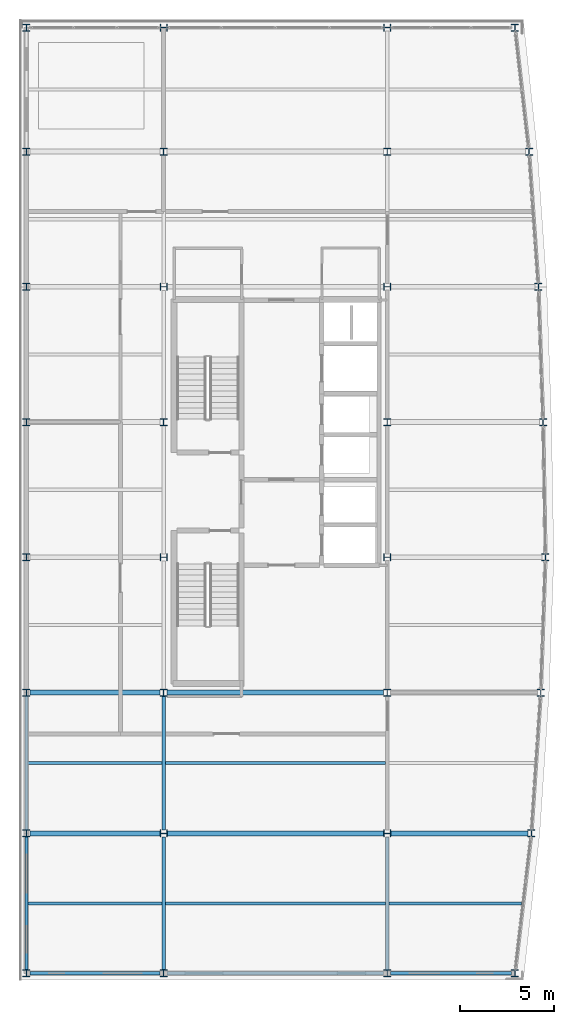
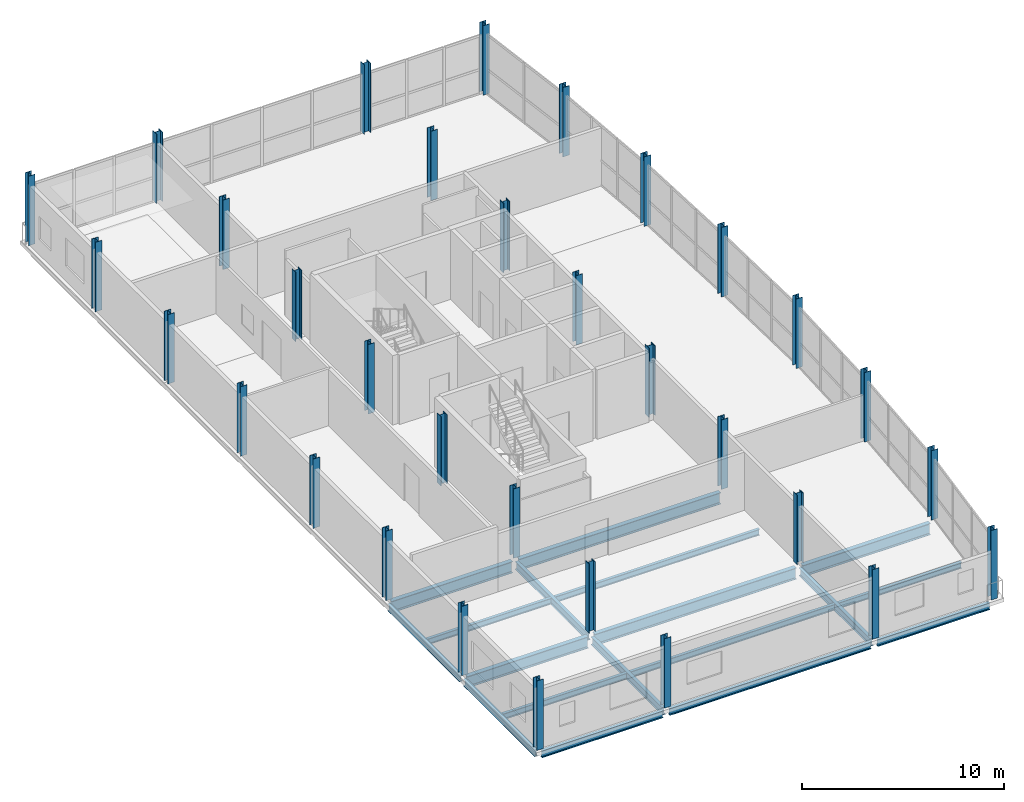
# One storey, part 1 of 20: 32 columns, 18 beams.
"""IFC4 building model written with IfcOpenShell, lengths in metres."""

from ifc_helpers import new_model, si_unit, direction, frame, origin, origin_2d, place, context, subcontext, project, spatial, i_section, extrude, material, material_profile, profile_set, type_object, element, save


model = new_model("IFC4")

# Units and contexts
model_context = context("Model", 3, precision=1e-05, world=origin(), true_north=direction((0.0, 1.0)))
body_context = subcontext(model_context, "Body", "Model", "MODEL_VIEW")
ifc_project = project(units=[si_unit("LENGTHUNIT", "METRE"), si_unit("AREAUNIT", "SQUARE_METRE"), si_unit("VOLUMEUNIT", "CUBIC_METRE"), si_unit("PLANEANGLEUNIT", "RADIAN"), si_unit("MASSUNIT", "GRAM", prefix="KILO")], contexts=[model_context])

# Site, building, storey
site_placement = place(None, origin())
site = spatial("IfcSite", under=ifc_project, at=site_placement, CompositionType="ELEMENT")
building_placement = place(site_placement, origin())
building = spatial("IfcBuilding", under=site, at=building_placement, Name="Quillay Park Conservatory", CompositionType="ELEMENT")
storey_placement = place(building_placement, frame((0.0, 0.0, 30.89990234375)))
storey = spatial("IfcBuildingStorey", under=building, at=storey_placement, Name="L07", CompositionType="ELEMENT", Elevation=30.89990234375)

# Columns
ifc_material_1 = material(Name="Steel ASTM A992 Grade 50", Category="steel")
ifc_material_profile_1 = material_profile(ifc_material_1, i_section(OverallWidth=0.3740234375, OverallDepth=0.3720703125, WebThickness=0.016357421875, FlangeThickness=0.026123046875, FilletRadius=0.014892578125, at=origin_2d()), Name="W360x196")
ifc_profile_set_1 = profile_set([ifc_material_profile_1], Name="Steel ASTM A992 Grade 50")
column_type = type_object("IfcColumnType", Name="COMPOSITE STEEL COLUMN W360 X196", PredefinedType="COLUMN", material=ifc_profile_set_1)
for number, where, z_axis, x_axis, name in (
    (1, (0.550048828125, 63.050048828125, 0.0), (0.0, 0.0, 1.0), (1.0, 0.0, 0.0), "L07 column COL-V4-L07-0-0"),
    (2, (7.85009765625, 63.050048828125, 0.0), (0.0, 0.0, 1.0), (1.0, 0.0, 0.0), "L07 column COL-V4-L07-0-1"),
    (3, (19.75, 63.050048828125, 0.0), (0.0, 0.0, 1.0), (1.0, 0.0, 0.0), "L07 column COL-V4-L07-0-2"),
    (4, (26.550048828125, 63.050048828125, 0.0), (0.0, 0.0, 1.0), (1.0, 0.0, 0.0), "L07 column COL-V4-L07-0-3"),
    (5, (0.550048828125, 70.5, 0.0), (0.0, 0.0, 1.0), (1.0, 0.0, 0.0), "L07 column COL-V4-L07-1-0"),
    (6, (7.85009765625, 70.5, 0.0), (0.0, 0.0, 1.0), (0.0, 1.0, 0.0), "L07 column COL-V4-L07-1-1"),
    (7, (19.75, 70.5, 0.0), (0.0, 0.0, 1.0), (0.0, 1.0, 0.0), "L07 column COL-V4-L07-1-2"),
    (8, (27.425048828125, 70.5, 0.0), (0.0, 0.0, 1.0), (1.0, 0.0, 0.0), "L07 column COL-V4-L07-1-3"),
    (9, (0.550048828125, 78.0, 0.0), (0.0, 0.0, 1.0), (1.0, 0.0, 0.0), "L07 column COL-V4-L07-2-0"),
    (10, (7.85009765625, 78.0, 0.0), (0.0, 0.0, 1.0), (1.0, 0.0, 0.0), "L07 column COL-V4-L07-2-1"),
    (11, (19.75, 78.0, 0.0), (0.0, 0.0, 1.0), (1.0, 0.0, 0.0), "L07 column COL-V4-L07-2-2"),
    (12, (27.925048828125, 78.0, 0.0), (0.0, 0.0, 1.0), (1.0, 0.0, 0.0), "L07 column COL-V4-L07-2-3"),
    (13, (0.550048828125, 85.199951171875, 0.0), (0.0, 0.0, 1.0), (1.0, 0.0, 0.0), "L07 column COL-V4-L07-3-0"),
    (14, (7.85009765625, 85.199951171875, 0.0), (0.0, 0.0, 1.0), (0.0, 1.0, 0.0), "L07 column COL-V4-L07-3-1"),
    (15, (19.75, 85.199951171875, 0.0), (0.0, 0.0, 1.0), (0.0, 1.0, 0.0), "L07 column COL-V4-L07-3-2"),
    (16, (28.175048828125, 85.199951171875, 0.0), (0.0, 0.0, 1.0), (1.0, 0.0, 0.0), "L07 column COL-V4-L07-3-3"),
    (17, (0.550048828125, 92.39990234375, 0.0), (0.0, 0.0, 1.0), (1.0, 0.0, 0.0), "L07 column COL-V4-L07-4-0"),
    (18, (7.85009765625, 92.39990234375, 0.0), (0.0, 0.0, 1.0), (1.0, 0.0, 0.0), "L07 column COL-V4-L07-4-1"),
    (19, (19.75, 92.39990234375, 0.0), (0.0, 0.0, 1.0), (1.0, 0.0, 0.0), "L07 column COL-V4-L07-4-2"),
    (20, (28.050048828125, 92.39990234375, 0.0), (0.0, 0.0, 1.0), (1.0, 0.0, 0.0), "L07 column COL-V4-L07-4-3"),
    (21, (0.550048828125, 99.60009765625, 0.0), (0.0, 0.0, 1.0), (1.0, 0.0, 0.0), "L07 column COL-V4-L07-5-0"),
    (22, (7.85009765625, 99.60009765625, 0.0), (0.0, 0.0, 1.0), (0.0, 1.0, 0.0), "L07 column COL-V4-L07-5-1"),
    (23, (19.75, 99.60009765625, 0.0), (0.0, 0.0, 1.0), (0.0, 1.0, 0.0), "L07 column COL-V4-L07-5-2"),
    (24, (27.800048828125, 99.60009765625, 0.0), (0.0, 0.0, 1.0), (1.0, 0.0, 0.0), "L07 column COL-V4-L07-5-3"),
    (25, (0.550048828125, 106.800048828125, 0.0), (0.0, 0.0, 1.0), (1.0, 0.0, 0.0), "L07 column COL-V4-L07-6-0"),
    (26, (7.85009765625, 106.800048828125, 0.0), (0.0, 0.0, 1.0), (1.0, 0.0, 0.0), "L07 column COL-V4-L07-6-1"),
    (27, (19.75, 106.800048828125, 0.0), (0.0, 0.0, 1.0), (1.0, 0.0, 0.0), "L07 column COL-V4-L07-6-2"),
    (28, (27.300048828125, 106.800048828125, 0.0), (0.0, 0.0, 1.0), (1.0, 0.0, 0.0), "L07 column COL-V4-L07-6-3"),
    (29, (0.550048828125, 113.39990234375, 0.0), (0.0, 0.0, 1.0), (1.0, 0.0, 0.0), "L07 column COL-V4-L07-7-0"),
    (30, (7.85009765625, 113.39990234375, 0.0), (0.0, 0.0, 1.0), (0.0, 1.0, 0.0), "L07 column COL-V4-L07-7-1"),
    (31, (19.75, 113.39990234375, 0.0), (0.0, 0.0, 1.0), (0.0, 1.0, 0.0), "L07 column COL-V4-L07-7-2"),
    (32, (26.550048828125, 113.39990234375, 0.0), (0.0, 0.0, 1.0), (1.0, 0.0, 0.0), "L07 column COL-V4-L07-7-3"),
):
    element("IfcColumn", number, at=place(storey_placement, frame(where, z_axis=z_axis, x_axis=x_axis)), inside=storey, type_object=column_type, Name=name, PredefinedType="COLUMN", context=body_context, shape_type="SweptSolid", body=[
        extrude(i_section(OverallWidth=0.3740234375, OverallDepth=0.3720703125, WebThickness=0.016357421875, FlangeThickness=0.026123046875, FilletRadius=0.014892578125, at=origin_2d()), origin(), (0.0, 0.0, 1.0), 4.2001953125),
    ])

# Beams
ifc_material_2 = material(Name="Steel ASTM A992 Grade 50", Category="steel")
ifc_material_profile_2 = material_profile(ifc_material_2, i_section(OverallWidth=0.172119140625, OverallDepth=0.35791015625, WebThickness=0.0078125, FlangeThickness=0.01318359375, FilletRadius=0.010986328125, at=origin_2d()), Name="W360x57")
ifc_profile_set_2 = profile_set([ifc_material_profile_2], Name="Steel ASTM A992 Grade 50")
beam_type_1 = type_object("IfcBeamType", Name="COMPOSITE FLOOR JOIST W360 X57", PredefinedType="JOIST", material=ifc_profile_set_2)
beam_1_placement = place(storey_placement, frame((0.639892578125, 66.77490234375, -0.39892578125), z_axis=(1.0, 0.0, 0.0), x_axis=(0.0, 1.0, 0.0)))
element("IfcBeam", 33, at=beam_1_placement, inside=storey, type_object=beam_type_1, Name="L07 beam BM-J-0542", PredefinedType="JOIST", context=body_context, shape_type="SweptSolid", body=[
    extrude(i_section(OverallWidth=0.172119140625, OverallDepth=0.35791015625, WebThickness=0.0078125, FlangeThickness=0.01318359375, FilletRadius=0.010986328125, at=origin_2d()), origin(), (0.0, 0.0, 1.0), 7.114013671875),
])
beam_2_placement = place(storey_placement, frame((19.845947265625, 66.77490234375, -0.39892578125), z_axis=(1.0, 0.0, 0.0), x_axis=(0.0, 1.0, 0.0)))
element("IfcBeam", 34, at=beam_2_placement, inside=storey, type_object=beam_type_1, Name="L07 beam BM-J-0543", PredefinedType="JOIST", context=body_context, shape_type="SweptSolid", body=[
    extrude(i_section(OverallWidth=0.172119140625, OverallDepth=0.35791015625, WebThickness=0.0078125, FlangeThickness=0.01318359375, FilletRadius=0.010986328125, at=origin_2d()), origin(), (0.0, 0.0, 1.0), 7.051513671875),
])
beam_3_placement = place(storey_placement, frame((7.946044921875, 66.77490234375, -0.39892578125), z_axis=(1.0, 0.0, 0.0), x_axis=(0.0, 1.0, 0.0)))
element("IfcBeam", 35, at=beam_3_placement, inside=storey, type_object=beam_type_1, Name="L07 beam BM-J-0544", PredefinedType="JOIST", context=body_context, shape_type="SweptSolid", body=[
    extrude(i_section(OverallWidth=0.172119140625, OverallDepth=0.35791015625, WebThickness=0.0078125, FlangeThickness=0.01318359375, FilletRadius=0.010986328125, at=origin_2d()), origin(), (0.0, 0.0, 1.0), 11.7080078125),
])
beam_4_placement = place(storey_placement, frame((0.639892578125, 74.25, -0.39892578125), z_axis=(1.0, 0.0, 0.0), x_axis=(0.0, 1.0, 0.0)))
element("IfcBeam", 36, at=beam_4_placement, inside=storey, type_object=beam_type_1, Name="L07 beam BM-J-0549", PredefinedType="JOIST", context=body_context, shape_type="SweptSolid", body=[
    extrude(i_section(OverallWidth=0.172119140625, OverallDepth=0.35791015625, WebThickness=0.0078125, FlangeThickness=0.01318359375, FilletRadius=0.010986328125, at=origin_2d()), origin(), (0.0, 0.0, 1.0), 7.114013671875),
])
beam_5_placement = place(storey_placement, frame((7.946044921875, 74.25, -0.39892578125), z_axis=(1.0, 0.0, 0.0), x_axis=(0.0, 1.0, 0.0)))
element("IfcBeam", 37, at=beam_5_placement, inside=storey, type_object=beam_type_1, Name="L07 beam BM-J-0551", PredefinedType="JOIST", context=body_context, shape_type="SweptSolid", body=[
    extrude(i_section(OverallWidth=0.172119140625, OverallDepth=0.35791015625, WebThickness=0.0078125, FlangeThickness=0.01318359375, FilletRadius=0.010986328125, at=origin_2d()), origin(), (0.0, 0.0, 1.0), 11.7080078125),
])
ifc_material_3 = material(Name="Steel ASTM A992 Grade 50", Category="steel")
ifc_material_profile_3 = material_profile(ifc_material_3, i_section(OverallWidth=0.179931640625, OverallDepth=0.4130859375, WebThickness=0.009765625, FlangeThickness=0.01611328125, FilletRadius=0.011962890625, at=origin_2d()), Name="W410x74")
ifc_profile_set_3 = profile_set([ifc_material_profile_3], Name="Steel ASTM A992 Grade 50")
beam_type_2 = type_object("IfcBeamType", Name="PERIMETER SPANDREL BEAM W410 X74", PredefinedType="SPANDREL", material=ifc_profile_set_3)
beam_6_placement = place(storey_placement, frame((0.737060546875, 63.050048828125, -0.426513671875), z_axis=(1.0, 0.0, 0.0), x_axis=(0.0, 1.0, 0.0)))
element("IfcBeam", 38, at=beam_6_placement, inside=storey, type_object=beam_type_2, Name="L07 beam BM-SP-0516", PredefinedType="SPANDREL", context=body_context, shape_type="SweptSolid", body=[
    extrude(i_section(OverallWidth=0.179931640625, OverallDepth=0.4130859375, WebThickness=0.009765625, FlangeThickness=0.01611328125, FilletRadius=0.011962890625, at=origin_2d()), origin(), (0.0, 0.0, 1.0), 6.926025390625),
])
beam_7_placement = place(storey_placement, frame((8.037109375, 63.050048828125, -0.426513671875), z_axis=(1.0, 0.0, 0.0), x_axis=(0.0, 1.0, 0.0)))
element("IfcBeam", 39, at=beam_7_placement, inside=storey, type_object=beam_type_2, Name="L07 beam BM-SP-0517", PredefinedType="SPANDREL", context=body_context, shape_type="SweptSolid", body=[
    extrude(i_section(OverallWidth=0.179931640625, OverallDepth=0.4130859375, WebThickness=0.009765625, FlangeThickness=0.01611328125, FilletRadius=0.011962890625, at=origin_2d()), origin(), (0.0, 0.0, 1.0), 11.52587890625),
])
beam_8_placement = place(storey_placement, frame((19.93701171875, 63.050048828125, -0.426513671875), z_axis=(1.0, 0.0, 0.0), x_axis=(0.0, 1.0, 0.0)))
element("IfcBeam", 40, at=beam_8_placement, inside=storey, type_object=beam_type_2, Name="L07 beam BM-SP-0518", PredefinedType="SPANDREL", context=body_context, shape_type="SweptSolid", body=[
    extrude(i_section(OverallWidth=0.179931640625, OverallDepth=0.4130859375, WebThickness=0.009765625, FlangeThickness=0.01611328125, FilletRadius=0.011962890625, at=origin_2d()), origin(), (0.0, 0.0, 1.0), 6.426025390625),
])
beam_9_placement = place(storey_placement, frame((0.550048828125, 63.236083984375, -0.426513671875), z_axis=(0.0, 1.0, 0.0), x_axis=(-1.0, 0.0, 0.0)))
element("IfcBeam", 41, at=beam_9_placement, inside=storey, type_object=beam_type_2, Name="L07 beam BM-SPW-0538", PredefinedType="SPANDREL", context=body_context, shape_type="SweptSolid", body=[
    extrude(i_section(OverallWidth=0.179931640625, OverallDepth=0.4130859375, WebThickness=0.009765625, FlangeThickness=0.01611328125, FilletRadius=0.011962890625, at=origin_2d()), origin(), (0.0, 0.0, 1.0), 7.077880859375),
])
beam_10_placement = place(storey_placement, frame((0.550048828125, 70.68603515625, -0.426513671875), z_axis=(0.0, 1.0, 0.0), x_axis=(-1.0, 0.0, 0.0)))
element("IfcBeam", 42, at=beam_10_placement, inside=storey, type_object=beam_type_2, Name="L07 beam BM-SPW-0545", PredefinedType="SPANDREL", context=body_context, shape_type="SweptSolid", body=[
    extrude(i_section(OverallWidth=0.179931640625, OverallDepth=0.4130859375, WebThickness=0.009765625, FlangeThickness=0.01611328125, FilletRadius=0.011962890625, at=origin_2d()), origin(), (0.0, 0.0, 1.0), 7.1279296875),
])
ifc_material_4 = material(Name="Steel ASTM A992 Grade 50", Category="steel")
ifc_material_profile_4 = material_profile(ifc_material_4, i_section(OverallWidth=0.19189453125, OverallDepth=0.462890625, WebThickness=0.010498046875, FlangeThickness=0.017578125, FilletRadius=0.012939453125, at=origin_2d()), Name="W460x89")
ifc_profile_set_4 = profile_set([ifc_material_profile_4], Name="Steel ASTM A992 Grade 50")
beam_type_3 = type_object("IfcBeamType", Name="PRIMARY FLOOR GIRDER W460 X89", PredefinedType="BEAM", material=ifc_profile_set_4)
for number, where, z_axis, x_axis, name in (
    (43, (7.85009765625, 63.236083984375, -0.451416015625), (0.0, 1.0, 0.0), (-1.0, 0.0, 0.0), "L07 beam BM-GNS-0540"),
    (44, (19.75, 63.236083984375, -0.451416015625), (0.0, 1.0, 0.0), (-1.0, 0.0, 0.0), "L07 beam BM-GNS-0541"),
):
    element("IfcBeam", number, at=place(storey_placement, frame(where, z_axis=z_axis, x_axis=x_axis)), inside=storey, type_object=beam_type_3, Name=name, PredefinedType="BEAM", context=body_context, shape_type="SweptSolid", body=[
        extrude(i_section(OverallWidth=0.19189453125, OverallDepth=0.462890625, WebThickness=0.010498046875, FlangeThickness=0.017578125, FilletRadius=0.012939453125, at=origin_2d()), origin(), (0.0, 0.0, 1.0), 7.076904296875),
    ])
beam_11_placement = place(storey_placement, frame((7.85009765625, 70.68701171875, -0.451416015625), z_axis=(0.0, 1.0, 0.0), x_axis=(-1.0, 0.0, 0.0)))
element("IfcBeam", 45, at=beam_11_placement, inside=storey, type_object=beam_type_3, Name="L07 beam BM-GNS-0547", PredefinedType="BEAM", context=body_context, shape_type="SweptSolid", body=[
    extrude(i_section(OverallWidth=0.19189453125, OverallDepth=0.462890625, WebThickness=0.010498046875, FlangeThickness=0.017578125, FilletRadius=0.012939453125, at=origin_2d()), origin(), (0.0, 0.0, 1.0), 7.126953125),
])
ifc_material_5 = material(Name="Steel ASTM A992 Grade 50", Category="steel")
ifc_material_profile_5 = material_profile(ifc_material_5, i_section(OverallWidth=0.256103515625, OverallDepth=0.693115234375, WebThickness=0.014404296875, FlangeThickness=0.023681640625, FilletRadius=0.01611328125, at=origin_2d()), Name="W690x170")
ifc_profile_set_5 = profile_set([ifc_material_profile_5], Name="Steel ASTM A992 Grade 50")
beam_type_4 = type_object("IfcBeamType", Name="PRIMARY FLOOR GIRDER W690 X170", PredefinedType="BEAM", material=ifc_profile_set_5)
beam_12_placement = place(storey_placement, frame((0.737060546875, 70.5, -0.56640625), z_axis=(1.0, 0.0, 0.0), x_axis=(0.0, 1.0, 0.0)))
element("IfcBeam", 46, at=beam_12_placement, inside=storey, type_object=beam_type_4, Name="L07 beam BM-HB-0519", PredefinedType="BEAM", context=body_context, shape_type="SweptSolid", body=[
    extrude(i_section(OverallWidth=0.256103515625, OverallDepth=0.693115234375, WebThickness=0.014404296875, FlangeThickness=0.023681640625, FilletRadius=0.01611328125, at=origin_2d()), origin(), (0.0, 0.0, 1.0), 6.927001953125),
])
beam_13_placement = place(storey_placement, frame((8.035888671875, 70.5, -0.56640625), z_axis=(1.0, 0.0, 0.0), x_axis=(0.0, 1.0, 0.0)))
element("IfcBeam", 47, at=beam_13_placement, inside=storey, type_object=beam_type_4, Name="L07 beam BM-HB-0520", PredefinedType="BEAM", context=body_context, shape_type="SweptSolid", body=[
    extrude(i_section(OverallWidth=0.256103515625, OverallDepth=0.693115234375, WebThickness=0.014404296875, FlangeThickness=0.023681640625, FilletRadius=0.01611328125, at=origin_2d()), origin(), (0.0, 0.0, 1.0), 11.528076171875),
])
beam_14_placement = place(storey_placement, frame((19.93603515625, 70.5, -0.56640625), z_axis=(1.0, 0.0, 0.0), x_axis=(0.0, 1.0, 0.0)))
element("IfcBeam", 48, at=beam_14_placement, inside=storey, type_object=beam_type_4, Name="L07 beam BM-HB-0521", PredefinedType="BEAM", context=body_context, shape_type="SweptSolid", body=[
    extrude(i_section(OverallWidth=0.256103515625, OverallDepth=0.693115234375, WebThickness=0.014404296875, FlangeThickness=0.023681640625, FilletRadius=0.01611328125, at=origin_2d()), origin(), (0.0, 0.0, 1.0), 7.302001953125),
])
beam_15_placement = place(storey_placement, frame((0.737060546875, 78.0, -0.56640625), z_axis=(1.0, 0.0, 0.0), x_axis=(0.0, 1.0, 0.0)))
element("IfcBeam", 49, at=beam_15_placement, inside=storey, type_object=beam_type_4, Name="L07 beam BM-HB-0522", PredefinedType="BEAM", context=body_context, shape_type="SweptSolid", body=[
    extrude(i_section(OverallWidth=0.256103515625, OverallDepth=0.693115234375, WebThickness=0.014404296875, FlangeThickness=0.023681640625, FilletRadius=0.01611328125, at=origin_2d()), origin(), (0.0, 0.0, 1.0), 6.926025390625),
])
beam_16_placement = place(storey_placement, frame((8.037109375, 78.0, -0.56640625), z_axis=(1.0, 0.0, 0.0), x_axis=(0.0, 1.0, 0.0)))
element("IfcBeam", 50, at=beam_16_placement, inside=storey, type_object=beam_type_4, Name="L07 beam BM-HB-0523", PredefinedType="BEAM", context=body_context, shape_type="SweptSolid", body=[
    extrude(i_section(OverallWidth=0.256103515625, OverallDepth=0.693115234375, WebThickness=0.014404296875, FlangeThickness=0.023681640625, FilletRadius=0.01611328125, at=origin_2d()), origin(), (0.0, 0.0, 1.0), 11.52587890625),
])

save(model, "model.ifc")
